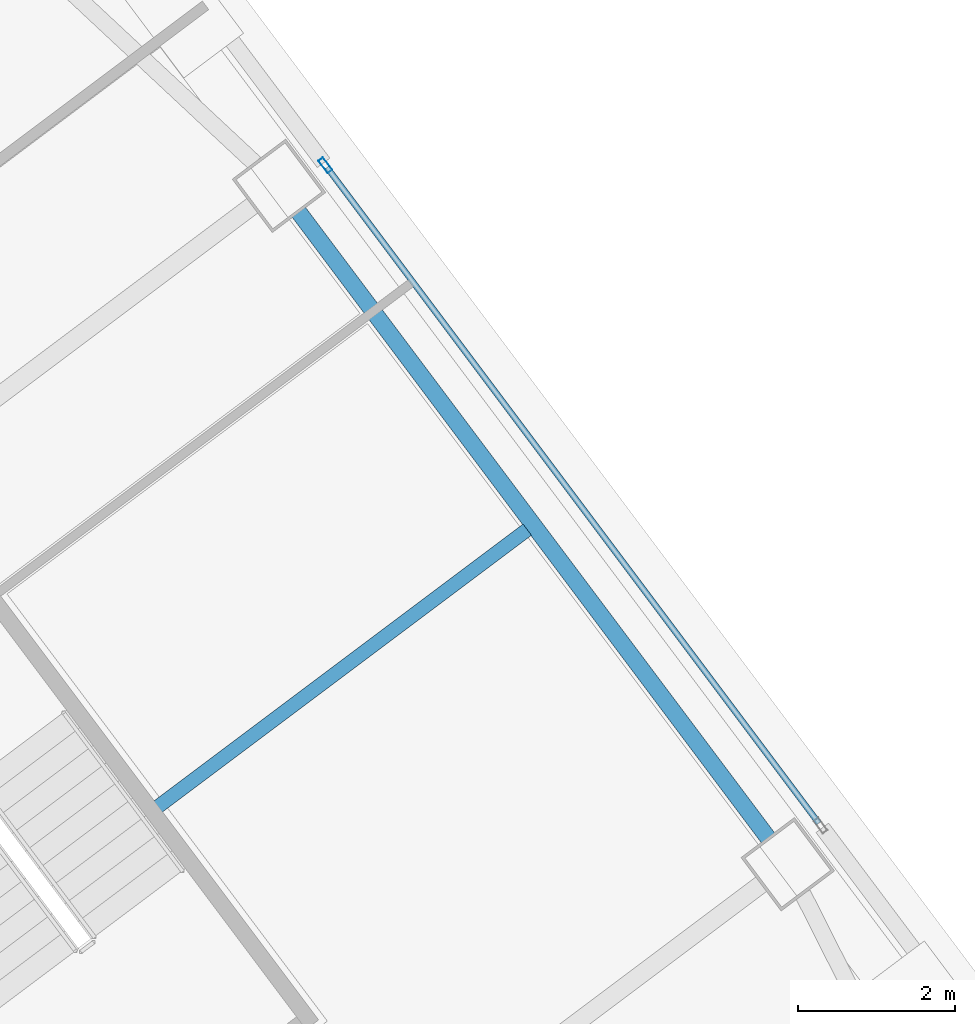
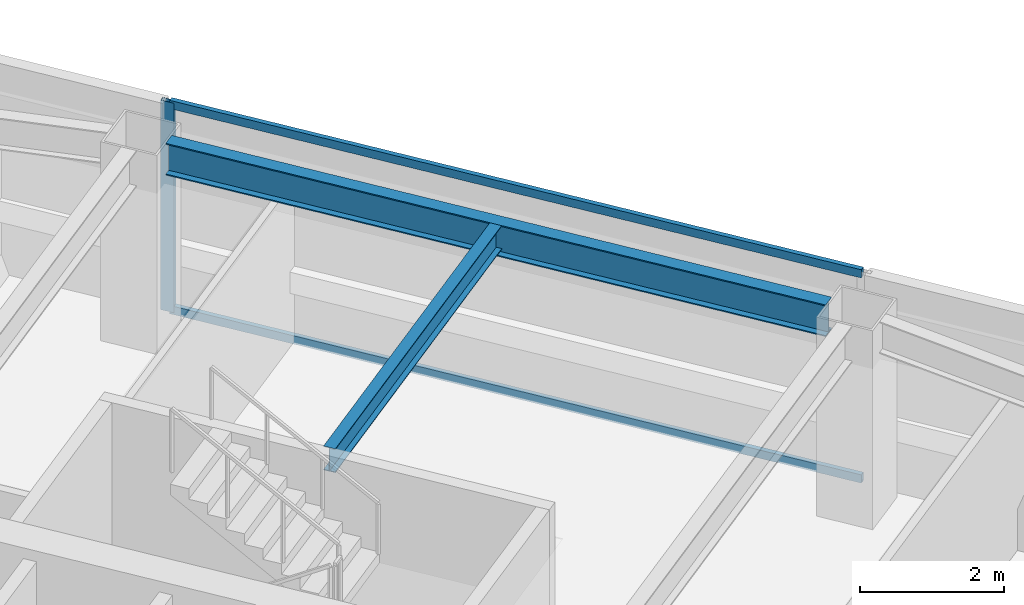
# One storey, part 40 of 54: 3 members, 2 beams, 1 element without a shape of its own.
"""IFC4 building model written with IfcOpenShell, lengths in metres."""

from ifc_helpers import new_model, si_unit, direction, frame, origin, origin_2d, place, context, subcontext, project, spatial, hollow_rectangle, i_section, extrude, material, material_profile, profile_set, type_object, element, aggregate, save


model = new_model("IFC4")

# Units and contexts
model_context = context("Model", 3, precision=1e-05, world=origin(), true_north=direction((0.0, 1.0)))
body_context = subcontext(model_context, "Body", "Model", "MODEL_VIEW")
ifc_project = project(units=[si_unit("LENGTHUNIT", "METRE"), si_unit("AREAUNIT", "SQUARE_METRE"), si_unit("VOLUMEUNIT", "CUBIC_METRE"), si_unit("PLANEANGLEUNIT", "RADIAN"), si_unit("MASSUNIT", "GRAM", prefix="KILO")], contexts=[model_context])

# Site, building, storey
site_placement = place(None, origin())
site = spatial("IfcSite", under=ifc_project, at=site_placement, CompositionType="ELEMENT")
building_placement = place(site_placement, origin())
building = spatial("IfcBuilding", under=site, at=building_placement, Name="Tashvorn Skyway Center", CompositionType="ELEMENT")
storey_placement = place(building_placement, frame((0.0, 0.0, 135.699951171875)))
storey = spatial("IfcBuildingStorey", under=building, at=storey_placement, Name="L36", CompositionType="ELEMENT", Elevation=135.699951171875)

# Beams
ifc_material_1 = material(Name="Steel ASTM A992 Grade 50", Category="steel")
ifc_material_profile_1 = material_profile(ifc_material_1, i_section(OverallWidth=0.177978515625, OverallDepth=0.406005859375, WebThickness=0.0078125, FlangeThickness=0.0126953125, at=origin_2d()), Name="W16X40")
ifc_profile_set_1 = profile_set([ifc_material_profile_1], Name="Steel ASTM A992 Grade 50")
beam_type_1 = type_object("IfcBeamType", Name="BM-JOIST-W16X40", PredefinedType="JOIST", material=ifc_profile_set_1)
beam_1_placement = place(storey_placement, frame((123.3359375, 39.001953125, 3.1669921875), z_axis=(0.8, 0.6, 0.0), x_axis=(-0.6, 0.8, 0.0)))
element("IfcBeam", 1, at=beam_1_placement, inside=storey, type_object=beam_type_1, Name="Tower 2 L36 Secondary Composite Joist JE", PredefinedType="JOIST", context=body_context, shape_type="SweptSolid", body=[
    extrude(i_section(OverallWidth=0.177978515625, OverallDepth=0.406005859375, WebThickness=0.0078125, FlangeThickness=0.0126953125, at=origin_2d()), origin(), (0.0, 0.0, 1.0), 5.882568359375),
])
ifc_material_profile_2 = material_profile(ifc_material_1, i_section(OverallWidth=0.2109375, OverallDepth=0.5390625, WebThickness=0.01171875, FlangeThickness=0.018798828125, at=origin_2d()), Name="W21X73")
ifc_profile_set_2 = profile_set([ifc_material_profile_2], Name="Steel ASTM A992 Grade 50")
beam_type_2 = type_object("IfcBeamType", Name="BM-SPANDREL-W21X73", PredefinedType="SPANDREL", material=ifc_profile_set_2)
beam_2_placement = place(storey_placement, frame((131.10791015625, 38.60595703125, 3.1005859375), z_axis=(-0.599988234018, 0.800008824351, 0.0), x_axis=(-0.800008824351, -0.599988234018, 0.0)))
element("IfcBeam", 2, at=beam_2_placement, inside=storey, type_object=beam_type_2, Name="Tower 2 L36 Spandrel Beam 05", PredefinedType="SPANDREL", context=body_context, shape_type="SweptSolid", body=[
    extrude(i_section(OverallWidth=0.2109375, OverallDepth=0.5390625, WebThickness=0.01171875, FlangeThickness=0.018798828125, at=origin_2d()), origin(), (0.0, 0.0, 1.0), 9.9599609375),
])

# Curtain wall, members
ifc_material_2 = material(Name="Thermally broken bronze-anodized aluminium 6063-T6", Category="aluminium")
curtain_wall_type = type_object("IfcCurtainWallType", Name="CW-CW-Z3", PredefinedType="NOTDEFINED", material=ifc_material_2)
curtain_wall_placement = place(storey_placement, origin())
curtain_wall = element("IfcCurtainWall", 3, at=curtain_wall_placement, inside=storey, type_object=curtain_wall_type, Name="Tower 2 L36 East Unitised Curtain Wall Glazing Group 2", PredefinedType="NOTDEFINED")
ifc_material_profile_3 = material_profile(ifc_material_2, hollow_rectangle(XDim=0.074951171875, YDim=0.199951171875, WallThickness=0.00439453125, at=origin_2d()), Name="ALU-MULL-75x200")
ifc_profile_set_3 = profile_set([ifc_material_profile_3], Name="Thermally broken bronze-anodized aluminium 6063-T6")
member_type_1 = type_object("IfcMemberType", Name="CWM-CW-Z3", PredefinedType="MULLION", material=ifc_profile_set_3)
member_1_placement = place(storey_placement, frame((125.470458984375, 47.172607421875, 0.0), z_axis=(0.0, 0.0, 1.0), x_axis=(0.800002266987, 0.599996977339, 0.0)))
member_1 = element("IfcMember", 4, at=member_1_placement, type_object=member_type_1, Name="CW-Z3 mullion 1", PredefinedType="MULLION", context=body_context, shape_type="SweptSolid", body=[
    extrude(hollow_rectangle(XDim=0.074951171875, YDim=0.199951171875, WallThickness=0.00439453125, at=origin_2d()), origin(), (0.0, 0.0, 1.0), 3.550048828125),
])
ifc_material_profile_4 = material_profile(ifc_material_2, hollow_rectangle(XDim=0.074951171875, YDim=0.139892578125, WallThickness=0.004150390625, at=origin_2d()), Name="ALU-TRAN-75x140")
ifc_profile_set_4 = profile_set([ifc_material_profile_4], Name="Thermally broken bronze-anodized aluminium 6063-T6")
member_type_2 = type_object("IfcMemberType", Name="CWT-CW-Z3", PredefinedType="USERDEFINED", material=ifc_profile_set_4)
member_2_placement = place(storey_placement, frame((125.492919921875, 47.142578125, 0.03759765625), z_axis=(0.599996257181, -0.800002807101, 0.0), x_axis=(0.800002807101, 0.599996257181, 0.0)))
member_2 = element("IfcMember", 5, at=member_2_placement, type_object=member_type_2, Name="CW-Z3 transom 1.1", ObjectType="TRANSOM", PredefinedType="USERDEFINED", context=body_context, shape_type="SweptSolid", body=[
    extrude(hollow_rectangle(XDim=0.074951171875, YDim=0.139892578125, WallThickness=0.004150390625, at=origin_2d()), origin(), (0.0, 0.0, 1.0), 10.436767578125),
])
member_3_placement = place(storey_placement, frame((125.492919921875, 47.142578125, 3.512451171875), z_axis=(0.599996257181, -0.800002807101, 0.0), x_axis=(0.800002807101, 0.599996257181, 0.0)))
member_3 = element("IfcMember", 6, at=member_3_placement, type_object=member_type_2, Name="CW-Z3 transom 1.2", ObjectType="TRANSOM", PredefinedType="USERDEFINED", context=body_context, shape_type="SweptSolid", body=[
    extrude(hollow_rectangle(XDim=0.074951171875, YDim=0.139892578125, WallThickness=0.004150390625, at=origin_2d()), origin(), (0.0, 0.0, 1.0), 10.436767578125),
])
aggregate(curtain_wall, [member_1, member_2, member_3])

save(model, "model.ifc")
